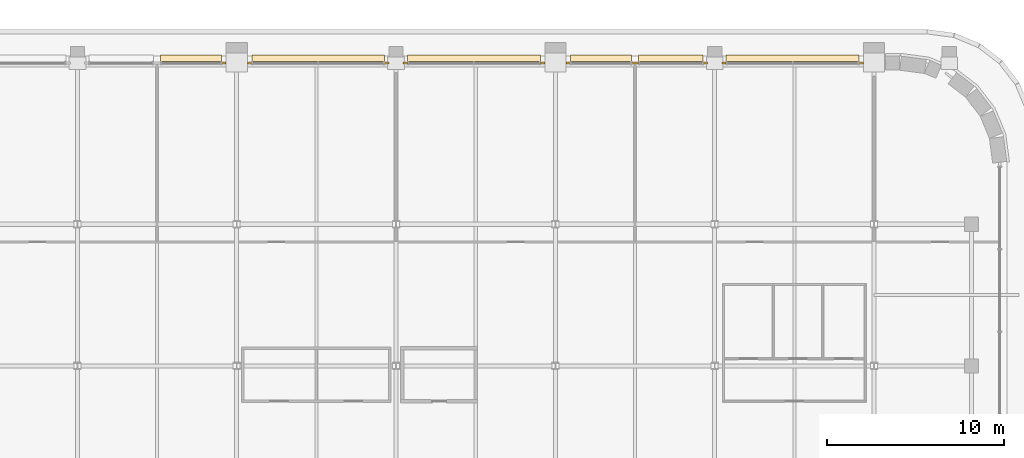
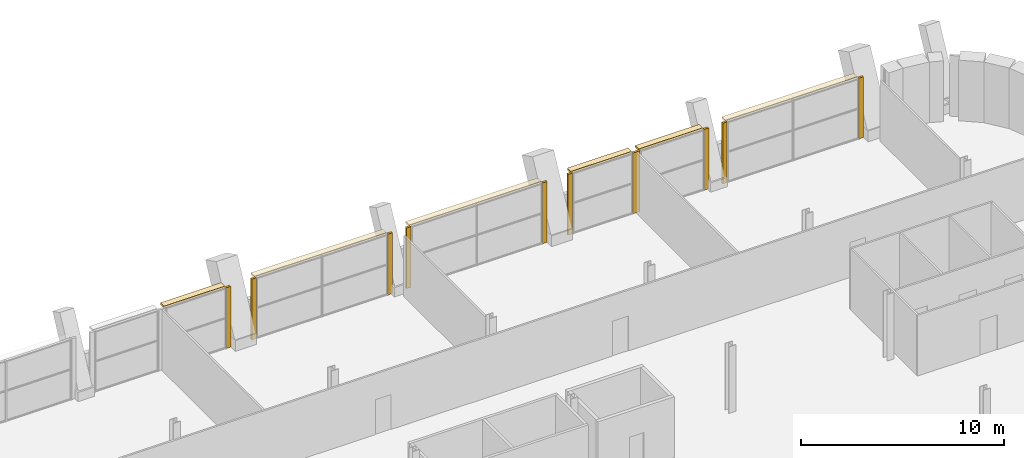
# One storey, part 23 of 25: 16 coverings.
"""IFC4 building model written with IfcOpenShell, lengths in metres."""

from ifc_helpers import new_model, si_unit, direction, frame, origin, origin_2d, place, context, subcontext, project, spatial, polyline, rectangle, outline, extrude, material, layer, layer_set, type_object, element, save


model = new_model("IFC4")

# Units and contexts
model_context = context("Model", 3, precision=1e-05, world=origin(), true_north=direction((0.0, 1.0)))
body_context = subcontext(model_context, "Body", "Model", "MODEL_VIEW")
ifc_project = project(units=[si_unit("LENGTHUNIT", "METRE"), si_unit("AREAUNIT", "SQUARE_METRE"), si_unit("VOLUMEUNIT", "CUBIC_METRE"), si_unit("PLANEANGLEUNIT", "RADIAN"), si_unit("MASSUNIT", "GRAM", prefix="KILO")], contexts=[model_context])

# Site, building, storey
site_placement = place(None, origin())
site = spatial("IfcSite", under=ifc_project, at=site_placement, CompositionType="ELEMENT")
building_placement = place(site_placement, origin())
building = spatial("IfcBuilding", under=site, at=building_placement, Name="Zellij Exchange Tower", CompositionType="ELEMENT")
storey_placement = place(building_placement, frame((0.0, 0.0, 264.5)))
storey = spatial("IfcBuildingStorey", under=building, at=storey_placement, Name="L62", CompositionType="ELEMENT", Elevation=264.5)

# Coverings
ifc_material_1 = material(Name="Limestone cladding", Category="masonry")
ifc_layer_1 = layer(ifc_material_1, 0.1201171875)
ifc_layer_set_1 = layer_set([ifc_layer_1], Name="Limestone cladding")
covering_type_1 = type_object("IfcCoveringType", Name="ENV-CV18 Glazing closer 120", PredefinedType="CLADDING", material=ifc_layer_set_1)
covering_1_placement = place(storey_placement, frame((13.5, 31.10009765625, 0.0), z_axis=(0.0, 0.0, 1.0), x_axis=(-1.0, 0.0, 0.0)))
element("IfcCovering", 1, at=covering_1_placement, inside=storey, type_object=covering_type_1, Name="Glazing closer", PredefinedType="CLADDING", context=body_context, shape_type="SweptSolid", body=[
    extrude(rectangle(XDim=0.39990234375, YDim=0.1201171875, at=origin_2d()), origin(), (0.0, 0.0, 1.0), 3.64990234375),
])
for number, where, z_axis, x_axis, name in (
    (2, (9.72509765625, 31.10009765625, 0.0), (0.0, 0.0, 1.0), (-1.0, 0.0, 0.0), "Glazing closer"),
    (3, (8.27490234375, 31.10009765625, 0.0), (0.0, 0.0, 1.0), (1.0, 0.0, 0.0), "Glazing closer"),
    (4, (-8.27490234375, 31.10009765625, 0.0), (0.0, 0.0, 1.0), (-1.0, 0.0, 0.0), "Glazing closer"),
    (5, (-9.72509765625, 31.10009765625, 0.0), (0.0, 0.0, 1.0), (1.0, 0.0, 0.0), "Glazing closer"),
    (6, (26.27490234375, 31.10009765625, 0.0), (0.0, 0.0, 1.0), (1.0, 0.0, 0.0), "Glazing closer"),
    (7, (18.52490234375, 31.10009765625, 0.0), (0.0, 0.0, 1.0), (-1.0, 0.0, 0.0), "Glazing closer"),
    (8, (17.47509765625, 31.10009765625, 0.0), (0.0, 0.0, 1.0), (1.0, 0.0, 0.0), "Glazing closer"),
    (9, (0.52490234375, 31.10009765625, 0.0), (0.0, 0.0, 1.0), (-1.0, 0.0, 0.0), "Glazing closer"),
    (10, (-0.52490234375, 31.10009765625, 0.0), (0.0, 0.0, 1.0), (1.0, 0.0, 0.0), "Glazing closer"),
):
    element("IfcCovering", number, at=place(storey_placement, frame(where, z_axis=z_axis, x_axis=x_axis)), inside=storey, type_object=covering_type_1, Name=name, PredefinedType="CLADDING", context=body_context, shape_type="SweptSolid", body=[
        extrude(rectangle(XDim=0.25, YDim=0.1201171875, at=origin_2d()), origin(), (0.0, 0.0, 1.0), 3.64990234375),
    ])
ifc_material_2 = material(Name="Limestone sunshade", Category="masonry")
ifc_layer_2 = layer(ifc_material_2, 0.1201171875)
ifc_layer_set_2 = layer_set([ifc_layer_2], Name="Limestone sunshade")
covering_type_2 = type_object("IfcCoveringType", Name="ENV-SC2 Stone sunshade 120", PredefinedType="USERDEFINED", material=ifc_layer_set_2)
covering_2_placement = place(storey_placement, frame((0.0, 0.0, 3.530029296875)))
element("IfcCovering", 11, at=covering_2_placement, inside=storey, type_object=covering_type_2, Name="Stone sunshade", ObjectType="SUNSHADE", PredefinedType="USERDEFINED", context=body_context, shape_type="SweptSolid", body=[
    extrude(outline(polyline([(26.14990234375, 31.199951171875), (18.64990234375, 31.199951171875), (18.64990234375, 31.550048828125), (26.14990234375, 31.550048828125), (26.14990234375, 31.199951171875)])), origin(), (0.0, 0.0, 1.0), 0.119873046875),
])
covering_3_placement = place(storey_placement, frame((0.0, 0.0, 3.530029296875)))
element("IfcCovering", 12, at=covering_3_placement, inside=storey, type_object=covering_type_2, Name="Stone sunshade", ObjectType="SUNSHADE", PredefinedType="USERDEFINED", context=body_context, shape_type="SweptSolid", body=[
    extrude(outline(polyline([(17.35009765625, 31.199951171875), (13.699951171875, 31.199951171875), (13.699951171875, 31.550048828125), (17.35009765625, 31.550048828125), (17.35009765625, 31.199951171875)])), origin(), (0.0, 0.0, 1.0), 0.119873046875),
])
covering_4_placement = place(storey_placement, frame((0.0, 0.0, 3.530029296875)))
element("IfcCovering", 13, at=covering_4_placement, inside=storey, type_object=covering_type_2, Name="Stone sunshade", ObjectType="SUNSHADE", PredefinedType="USERDEFINED", context=body_context, shape_type="SweptSolid", body=[
    extrude(outline(polyline([(13.300048828125, 31.199951171875), (9.85009765625, 31.199951171875), (9.85009765625, 31.550048828125), (13.300048828125, 31.550048828125), (13.300048828125, 31.199951171875)])), origin(), (0.0, 0.0, 1.0), 0.119873046875),
])
covering_5_placement = place(storey_placement, frame((0.0, 0.0, 3.530029296875)))
element("IfcCovering", 14, at=covering_5_placement, inside=storey, type_object=covering_type_2, Name="Stone sunshade", ObjectType="SUNSHADE", PredefinedType="USERDEFINED", context=body_context, shape_type="SweptSolid", body=[
    extrude(outline(polyline([(8.14990234375, 31.199951171875), (0.64990234375, 31.199951171875), (0.64990234375, 31.550048828125), (8.14990234375, 31.550048828125), (8.14990234375, 31.199951171875)])), origin(), (0.0, 0.0, 1.0), 0.119873046875),
])
covering_6_placement = place(storey_placement, frame((0.0, 0.0, 3.530029296875)))
element("IfcCovering", 15, at=covering_6_placement, inside=storey, type_object=covering_type_2, Name="Stone sunshade", ObjectType="SUNSHADE", PredefinedType="USERDEFINED", context=body_context, shape_type="SweptSolid", body=[
    extrude(outline(polyline([(-0.64990234375, 31.199951171875), (-8.14990234375, 31.199951171875), (-8.14990234375, 31.550048828125), (-0.64990234375, 31.550048828125), (-0.64990234375, 31.199951171875)])), origin(), (0.0, 0.0, 1.0), 0.119873046875),
])
covering_7_placement = place(storey_placement, frame((0.0, 0.0, 3.530029296875)))
element("IfcCovering", 16, at=covering_7_placement, inside=storey, type_object=covering_type_2, Name="Stone sunshade", ObjectType="SUNSHADE", PredefinedType="USERDEFINED", context=body_context, shape_type="SweptSolid", body=[
    extrude(outline(polyline([(-9.85009765625, 31.199951171875), (-13.300048828125, 31.199951171875), (-13.300048828125, 31.550048828125), (-9.85009765625, 31.550048828125), (-9.85009765625, 31.199951171875)])), origin(), (0.0, 0.0, 1.0), 0.119873046875),
])

save(model, "model.ifc")
